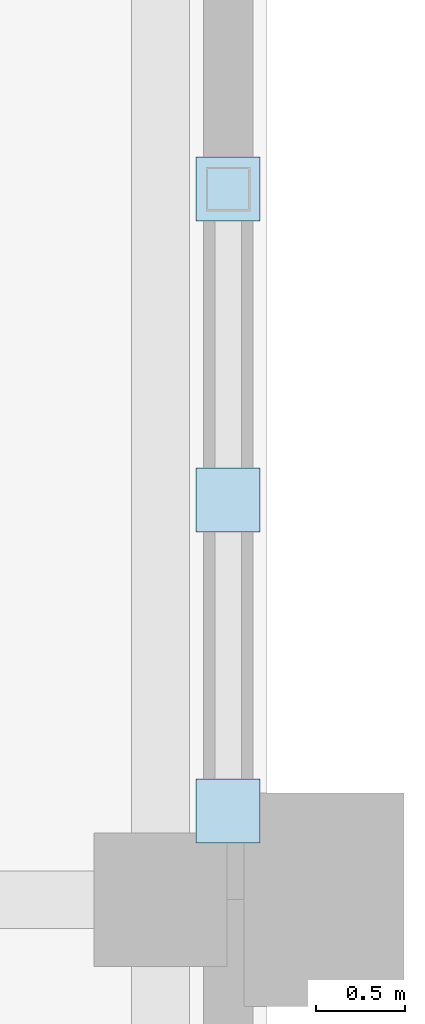
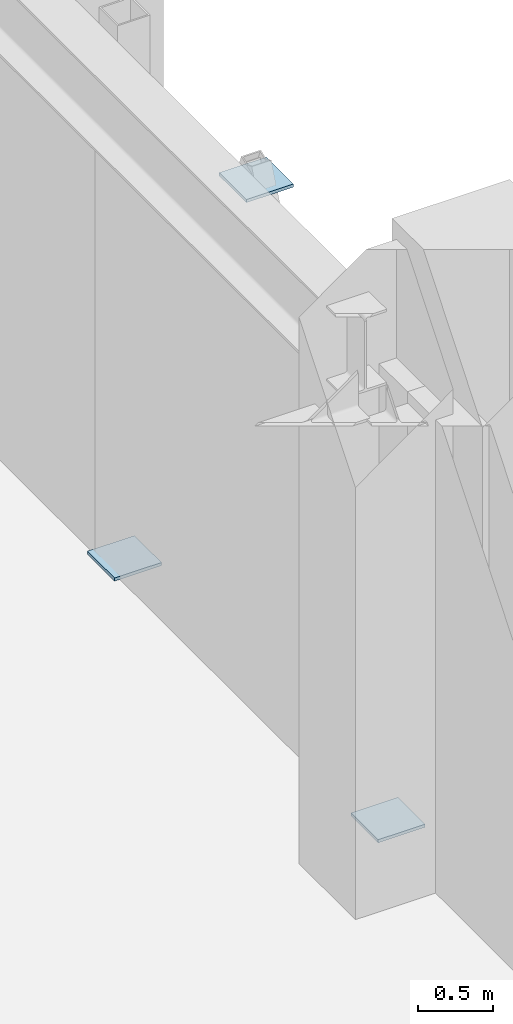
# One storey, part 88 of 126: 3 plates.
"""IFC4 building model written with IfcOpenShell, lengths in metres."""

from ifc_helpers import new_model, si_unit, derived_unit, direction, frame, origin, origin_2d, place, context, subcontext, project, spatial, rectangle, extrude, material, layer, layer_set, type_object, element, save


model = new_model("IFC4")

# Units and contexts
model_context = context("Model", 3, precision=1e-05, world=origin(), true_north=direction((0.0, 1.0)))
body_context = subcontext(model_context, "Body", "Model", "MODEL_VIEW")
ifc_project = project(units=[si_unit("LENGTHUNIT", "METRE"), si_unit("AREAUNIT", "SQUARE_METRE"), si_unit("VOLUMEUNIT", "CUBIC_METRE"), si_unit("PLANEANGLEUNIT", "RADIAN"), si_unit("MASSUNIT", "GRAM", prefix="KILO"), derived_unit("THERMALTRANSMITTANCEUNIT", [(si_unit("MASSUNIT", "GRAM", prefix="KILO"), 1), (si_unit("TIMEUNIT", "SECOND"), -3), (si_unit("THERMODYNAMICTEMPERATUREUNIT", "KELVIN"), -1)])], contexts=[model_context])

# Site, building, storey
site_placement = place(None, origin())
site = spatial("IfcSite", under=ifc_project, at=site_placement, CompositionType="ELEMENT")
building_placement = place(site_placement, origin())
building = spatial("IfcBuilding", under=site, at=building_placement, Name="Valcora Ridge Arena", CompositionType="ELEMENT")
storey_placement = place(building_placement, frame((0.0, 0.0, 11.39990234375)))
storey = spatial("IfcBuildingStorey", under=building, at=storey_placement, Name="L02", CompositionType="ELEMENT", Elevation=11.39990234375)

# Plates
ifc_material = material(Name="Steel ASTM A572 Grade 50", Category="steel")
ifc_layer = layer(ifc_material, 0.02490234375, Name="Steel ASTM A572 Grade 50")
ifc_layer_set = layer_set([ifc_layer], Name="Steel ASTM A572 Grade 50")
plate_type = type_object("IfcPlateType", Name="TY-PLATE-PL-GUS-25", PredefinedType="USERDEFINED", material=ifc_layer_set)
for number, where, z_axis, x_axis, name in (
    (1, (191.780029296875, 120.699951171875, 0.000244140625), (0.0, 0.0, 1.0), (1.0, 0.0, 0.0), "PL-GUS-25 BR-GP-0034"),
    (2, (191.780029296875, 124.199951171875, 0.000244140625), (0.0, 0.0, 1.0), (1.0, 0.0, 0.0), "PL-GUS-25 BR-GP-0035"),
    (3, (191.780029296875, 122.449951171875, 4.130126953125), (0.0, 0.0, 1.0), (1.0, 0.0, 0.0), "PL-GUS-25 BR-GP-0036"),
):
    element("IfcPlate", number, at=place(storey_placement, frame(where, z_axis=z_axis, x_axis=x_axis)), inside=storey, type_object=plate_type, Name=name, ObjectType="GUSSET_PLATE", PredefinedType="USERDEFINED", context=body_context, shape_type="SweptSolid", body=[
        extrude(rectangle(XDim=0.360107421875, YDim=0.360107421875, at=origin_2d()), origin(), (0.0, 0.0, 1.0), 0.02490234375),
    ])

save(model, "model.ifc")
